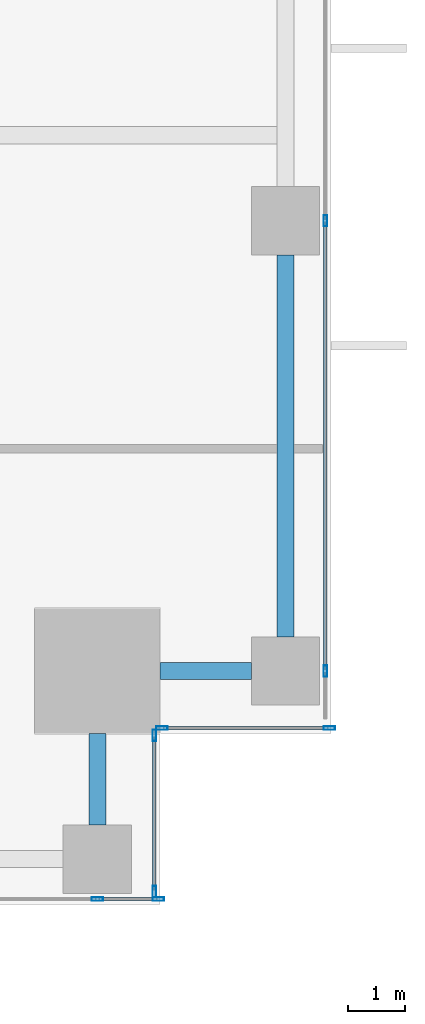
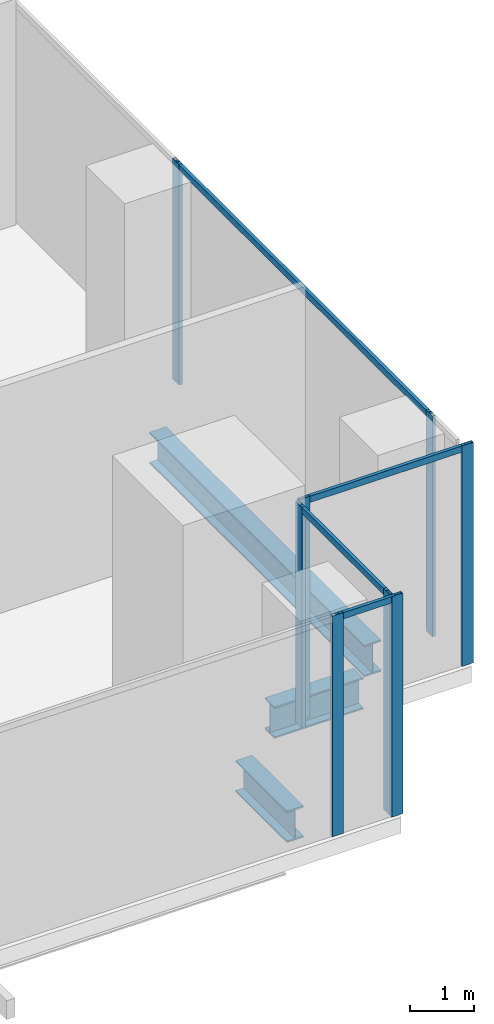
# One storey, part 9 of 32: 12 members, 3 beams, 4 elements without a shape of their own.
"""IFC4 building model written with IfcOpenShell, lengths in metres."""

from ifc_helpers import new_model, si_unit, direction, frame, origin, origin_2d, place, context, subcontext, project, spatial, hollow_rectangle, i_section, extrude, source, transform, mapped, material, material_profile, profile_set, type_object, element, aggregate, save


model = new_model("IFC4")

# Units and contexts
model_context = context("Model", 3, precision=1e-05, world=origin(), true_north=direction((0.0, 1.0)))
body_context = subcontext(model_context, "Body", "Model", "MODEL_VIEW")
ifc_project = project(units=[si_unit("LENGTHUNIT", "METRE"), si_unit("AREAUNIT", "SQUARE_METRE"), si_unit("VOLUMEUNIT", "CUBIC_METRE"), si_unit("PLANEANGLEUNIT", "RADIAN"), si_unit("MASSUNIT", "GRAM", prefix="KILO")], contexts=[model_context])

# Site, building, storey
site_placement = place(None, origin())
site = spatial("IfcSite", under=ifc_project, at=site_placement, CompositionType="ELEMENT")
building_placement = place(site_placement, origin())
building = spatial("IfcBuilding", under=site, at=building_placement, Name="Khomas Fold Tower", CompositionType="ELEMENT")
storey_placement = place(building_placement, frame((0.0, 0.0, 42.0)))
storey = spatial("IfcBuildingStorey", under=building, at=storey_placement, Name="L08", CompositionType="ELEMENT", Elevation=42.0)

# Beams
ifc_material_1 = material(Name="Steel S355", Category="steel")
ifc_material_profile_1 = material_profile(ifc_material_1, i_section(OverallWidth=0.300048828125, OverallDepth=0.60009765625, WebThickness=0.015380859375, FlangeThickness=0.030029296875, at=origin_2d()), Name="HE 600 B")
ifc_profile_set_1 = profile_set([ifc_material_profile_1], Name="Steel S355")
beam_type = type_object("IfcBeamType", Name="HE 600 B spandrel SB1", PredefinedType="SPANDREL", material=ifc_profile_set_1)
shared_shape_1 = source(origin(), body_context, "Body", "SweptSolid", [
    extrude(i_section(OverallWidth=0.300048828125, OverallDepth=0.60009765625, WebThickness=0.015380859375, FlangeThickness=0.030029296875, at=origin_2d()), origin(), (0.0, 0.0, 1.0), 6.699951171875),
])
beam_placement = place(storey_placement, frame((53.199951171875, 4.699951171875, -0.60009765625), z_axis=(0.0, 1.0, 0.0), x_axis=(-1.0, 0.0, 0.0)))
element("IfcBeam", 1, at=beam_placement, inside=storey, type_object=beam_type, Name="SB1", PredefinedType="SPANDREL", context=body_context, shape_type="MappedRepresentation", body=[
    mapped(shared_shape_1, transform((0.0, 0.0, 0.0))),
])
shared_shape_2 = source(origin(), body_context, "Body", "SweptSolid", [
    extrude(i_section(OverallWidth=0.300048828125, OverallDepth=0.60009765625, WebThickness=0.015380859375, FlangeThickness=0.030029296875, at=origin_2d()), origin(), (0.0, 0.0, 1.0), 1.60009765625),
])
for number, where, z_axis, x_axis, name in (
    (2, (49.89990234375, 1.39990234375, -0.60009765625), (0.0, 1.0, 0.0), (-1.0, 0.0, 0.0), "SB1"),
    (3, (51.0, 4.10009765625, -0.60009765625), (1.0, 0.0, 0.0), (0.0, 1.0, 0.0), "SB1"),
):
    element("IfcBeam", number, at=place(storey_placement, frame(where, z_axis=z_axis, x_axis=x_axis)), inside=storey, type_object=beam_type, Name=name, PredefinedType="SPANDREL", context=body_context, shape_type="MappedRepresentation", body=[
        mapped(shared_shape_2, transform((0.0, 0.0, 0.0))),
    ])

# Curtain wall, member
ifc_material_2 = material(Name="Aluminium framed double glazing", Category="aluminium")
curtain_wall_type = type_object("IfcCurtainWallType", Name="SK-Unitised clear-glass wall, growing floors CW1", PredefinedType="NOTDEFINED", material=ifc_material_2)
curtain_wall_1_placement = place(storey_placement, origin())
curtain_wall_1 = element("IfcCurtainWall", 4, at=curtain_wall_1_placement, inside=storey, type_object=curtain_wall_type, Name="CW1 run L08 03-0", PredefinedType="NOTDEFINED")
ifc_material_3 = material(Name="Aluminium", Category="aluminium")
ifc_material_profile_2 = material_profile(ifc_material_3, hollow_rectangle(XDim=0.06005859375, YDim=0.1201171875, WallThickness=0.00390625, at=origin_2d()), Name="SK-Unitised clear-glass wall, growing floors transom CW1-T")
ifc_profile_set_2 = profile_set([ifc_material_profile_2], Name="Aluminium")
member_type_1 = type_object("IfcMemberType", Name="SK-Unitised clear-glass wall, growing floors transom CW1-T", PredefinedType="USERDEFINED", material=ifc_profile_set_2)
shared_shape_3 = source(origin(), body_context, "Body", "SweptSolid", [
    extrude(hollow_rectangle(XDim=0.06005859375, YDim=0.1201171875, WallThickness=0.00390625, at=origin_2d()), origin(), (0.0, 0.0, 1.0), 7.840087890625),
])
member_1_placement = place(storey_placement, frame((53.89990234375, 4.1298828125, 4.139892578125), z_axis=(0.0, 1.0, 0.0), x_axis=(-1.0, 0.0, 0.0)))
member_1 = element("IfcMember", 5, at=member_1_placement, type_object=member_type_1, Name="CW1 transom 2", ObjectType="TRANSOM", PredefinedType="USERDEFINED", context=body_context, shape_type="MappedRepresentation", body=[
    mapped(shared_shape_3, transform((0.0, 0.0, 0.0))),
])

curtain_wall_2_placement = place(storey_placement, origin())
curtain_wall_2 = element("IfcCurtainWall", 6, at=curtain_wall_2_placement, inside=storey, type_object=curtain_wall_type, Name="CW1 run L08 00-0", PredefinedType="NOTDEFINED")
shared_shape_4 = source(origin(), body_context, "Body", "SweptSolid", [
    extrude(hollow_rectangle(XDim=0.06005859375, YDim=0.1201171875, WallThickness=0.00390625, at=origin_2d()), origin(), (0.0, 0.0, 1.0), 1.010009765625),
])
member_2_placement = place(storey_placement, frame((49.929931640625, 0.10009765625, 4.139892578125), z_axis=(1.0, 0.0, 0.0), x_axis=(0.0, 1.0, 0.0)))
member_2 = element("IfcMember", 7, at=member_2_placement, type_object=member_type_1, Name="CW1 transom 8", ObjectType="TRANSOM", PredefinedType="USERDEFINED", context=body_context, shape_type="MappedRepresentation", body=[
    mapped(shared_shape_4, transform((0.0, 0.0, 0.0))),
])

curtain_wall_3_placement = place(storey_placement, origin())
curtain_wall_3 = element("IfcCurtainWall", 8, at=curtain_wall_3_placement, inside=storey, type_object=curtain_wall_type, Name="CW1 corner return L08 01", PredefinedType="NOTDEFINED")
shared_shape_5 = source(origin(), body_context, "Body", "SweptSolid", [
    extrude(hollow_rectangle(XDim=0.06005859375, YDim=0.1201171875, WallThickness=0.00390625, at=origin_2d()), origin(), (0.0, 0.0, 1.0), 2.679931640625),
])
member_3_placement = place(storey_placement, frame((50.89990234375, 0.260009765625, 4.139892578125), z_axis=(0.0, 1.0, 0.0), x_axis=(-1.0, 0.0, 0.0)))
member_3 = element("IfcMember", 9, at=member_3_placement, type_object=member_type_1, Name="CW1 transom 1", ObjectType="TRANSOM", PredefinedType="USERDEFINED", context=body_context, shape_type="MappedRepresentation", body=[
    mapped(shared_shape_5, transform((0.0, 0.0, 0.0))),
])

curtain_wall_4_placement = place(storey_placement, origin())
curtain_wall_4 = element("IfcCurtainWall", 10, at=curtain_wall_4_placement, inside=storey, type_object=curtain_wall_type, Name="CW1 corner return L08 02", PredefinedType="NOTDEFINED")
shared_shape_6 = source(origin(), body_context, "Body", "SweptSolid", [
    extrude(hollow_rectangle(XDim=0.06005859375, YDim=0.1201171875, WallThickness=0.00390625, at=origin_2d()), origin(), (0.0, 0.0, 1.0), 2.8798828125),
])
member_4_placement = place(storey_placement, frame((51.06005859375, 3.10009765625, 4.139892578125), z_axis=(1.0, 0.0, 0.0), x_axis=(0.0, 1.0, 0.0)))
member_4 = element("IfcMember", 11, at=member_4_placement, type_object=member_type_1, Name="CW1 transom 1", ObjectType="TRANSOM", PredefinedType="USERDEFINED", context=body_context, shape_type="MappedRepresentation", body=[
    mapped(shared_shape_6, transform((0.0, 0.0, 0.0))),
])

# Member
ifc_material_4 = material(Name="Aluminium", Category="aluminium")
ifc_material_profile_3 = material_profile(ifc_material_4, hollow_rectangle(XDim=0.06005859375, YDim=0.199951171875, WallThickness=0.00390625, at=origin_2d()), Name="SK-Unitised clear-glass wall, growing floors mullion CW1-M")
ifc_profile_set_3 = profile_set([ifc_material_profile_3], Name="Aluminium")
member_type_2 = type_object("IfcMemberType", Name="SK-Unitised clear-glass wall, growing floors mullion CW1-M", PredefinedType="MULLION", material=ifc_profile_set_3)
shared_shape_7 = source(origin(), body_context, "Body", "SweptSolid", [
    extrude(hollow_rectangle(XDim=0.06005859375, YDim=0.199951171875, WallThickness=0.00390625, at=origin_2d()), origin(), (0.0, 0.0, 1.0), 4.199951171875),
])
member_5_placement = place(storey_placement, frame((49.89990234375, 0.10009765625, 0.0), z_axis=(0.0, 0.0, 1.0), x_axis=(0.0, 1.0, 0.0)))
member_5 = element("IfcMember", 12, at=member_5_placement, type_object=member_type_2, Name="CW1 mullion 8", PredefinedType="MULLION", context=body_context, shape_type="MappedRepresentation", body=[
    mapped(shared_shape_7, transform((0.0, 0.0, 0.0))),
])

member_6_placement = place(storey_placement, frame((50.969970703125, 0.10009765625, 0.0), z_axis=(0.0, 0.0, 1.0), x_axis=(0.0, 1.0, 0.0)))
member_6 = element("IfcMember", 13, at=member_6_placement, type_object=member_type_2, Name="CW1 mullion 9", PredefinedType="MULLION", context=body_context, shape_type="MappedRepresentation", body=[
    mapped(shared_shape_7, transform((0.0, 0.0, 0.0))),
])

aggregate(curtain_wall_2, [member_5, member_6, member_2])

member_7_placement = place(storey_placement, frame((50.89990234375, 0.22998046875, 0.0), z_axis=(0.0, 0.0, 1.0), x_axis=(-1.0, 0.0, 0.0)))
member_7 = element("IfcMember", 14, at=member_7_placement, type_object=member_type_2, Name="CW1 mullion 1", PredefinedType="MULLION", context=body_context, shape_type="MappedRepresentation", body=[
    mapped(shared_shape_7, transform((0.0, 0.0, 0.0))),
])

member_8_placement = place(storey_placement, frame((50.89990234375, 2.969970703125, 0.0), z_axis=(0.0, 0.0, 1.0), x_axis=(-1.0, 0.0, 0.0)))
member_8 = element("IfcMember", 15, at=member_8_placement, type_object=member_type_2, Name="CW1 mullion 2", PredefinedType="MULLION", context=body_context, shape_type="MappedRepresentation", body=[
    mapped(shared_shape_7, transform((0.0, 0.0, 0.0))),
])

aggregate(curtain_wall_3, [member_7, member_8, member_3])

member_9_placement = place(storey_placement, frame((51.030029296875, 3.10009765625, 0.0), z_axis=(0.0, 0.0, 1.0), x_axis=(0.0, 1.0, 0.0)))
member_9 = element("IfcMember", 16, at=member_9_placement, type_object=member_type_2, Name="CW1 mullion 1", PredefinedType="MULLION", context=body_context, shape_type="MappedRepresentation", body=[
    mapped(shared_shape_7, transform((0.0, 0.0, 0.0))),
])

member_10_placement = place(storey_placement, frame((53.969970703125, 3.10009765625, 0.0), z_axis=(0.0, 0.0, 1.0), x_axis=(0.0, 1.0, 0.0)))
member_10 = element("IfcMember", 17, at=member_10_placement, type_object=member_type_2, Name="CW1 mullion 2", PredefinedType="MULLION", context=body_context, shape_type="MappedRepresentation", body=[
    mapped(shared_shape_7, transform((0.0, 0.0, 0.0))),
])

aggregate(curtain_wall_4, [member_9, member_10, member_4])

member_11_placement = place(storey_placement, frame((53.89990234375, 4.10009765625, 0.0), z_axis=(0.0, 0.0, 1.0), x_axis=(-1.0, 0.0, 0.0)))
member_11 = element("IfcMember", 18, at=member_11_placement, type_object=member_type_2, Name="CW1 mullion 2", PredefinedType="MULLION", context=body_context, shape_type="MappedRepresentation", body=[
    mapped(shared_shape_7, transform((0.0, 0.0, 0.0))),
])

member_12_placement = place(storey_placement, frame((53.89990234375, 12.0, 0.0), z_axis=(0.0, 0.0, 1.0), x_axis=(-1.0, 0.0, 0.0)))
member_12 = element("IfcMember", 19, at=member_12_placement, type_object=member_type_2, Name="CW1 mullion 3", PredefinedType="MULLION", context=body_context, shape_type="MappedRepresentation", body=[
    mapped(shared_shape_7, transform((0.0, 0.0, 0.0))),
])

aggregate(curtain_wall_1, [member_11, member_12, member_1])

save(model, "model.ifc")
